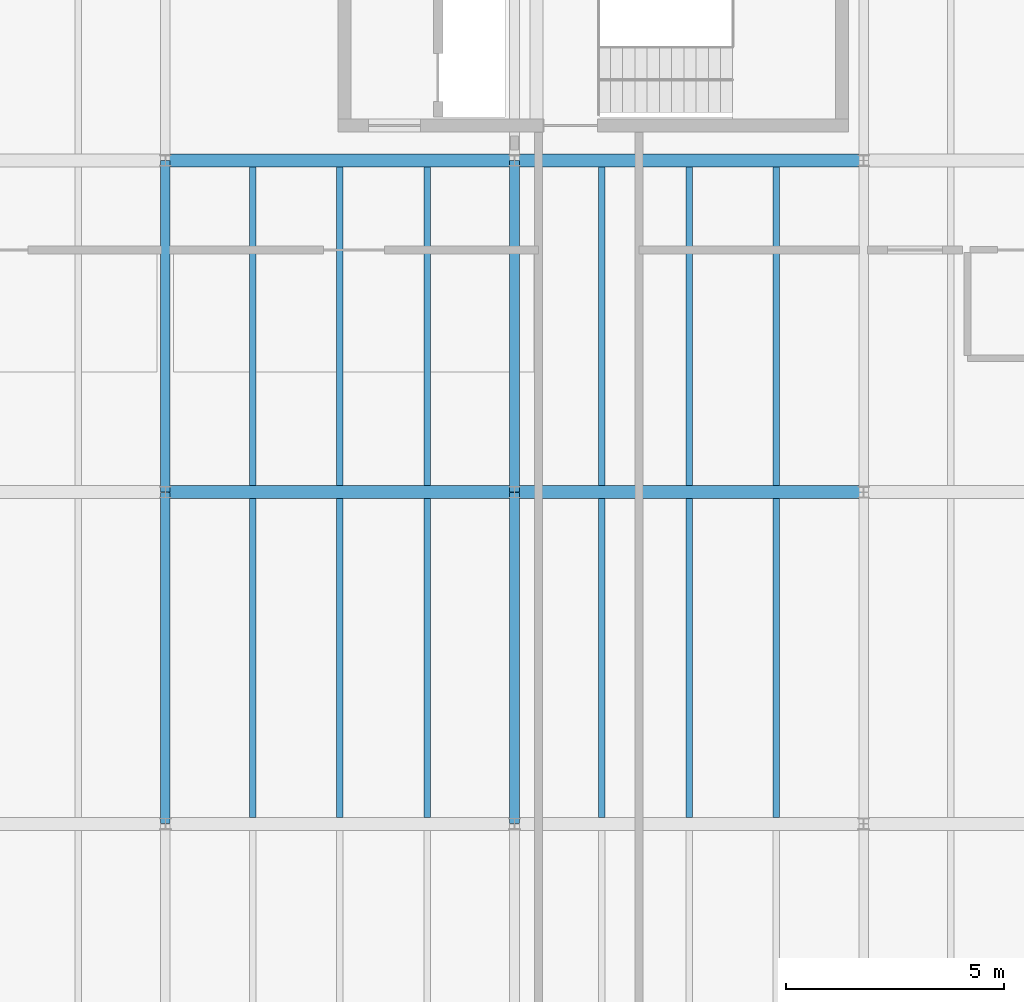
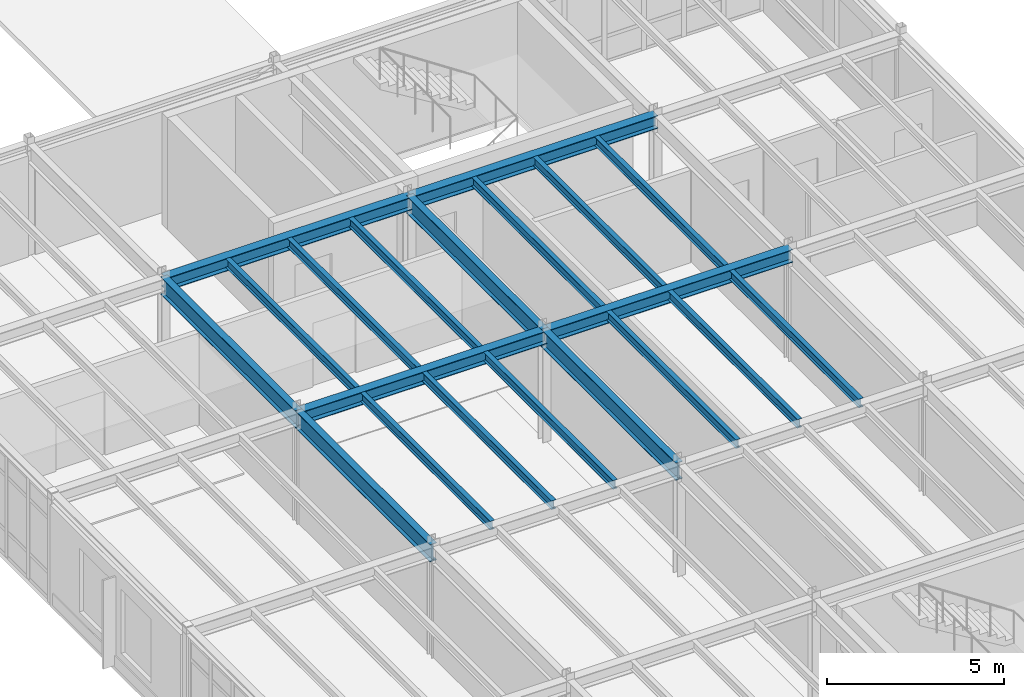
# One storey, part 59 of 114: 20 beams.
"""IFC4 building model written with IfcOpenShell, lengths in metres."""

from ifc_helpers import new_model, si_unit, direction, frame, origin, origin_2d, place, context, subcontext, project, spatial, i_section, extrude, material, material_profile, profile_set, type_object, element, save


model = new_model("IFC4")

# Units and contexts
model_context = context("Model", 3, precision=1e-05, world=origin(), true_north=direction((0.0, 1.0)))
body_context = subcontext(model_context, "Body", "Model", "MODEL_VIEW")
ifc_project = project(units=[si_unit("LENGTHUNIT", "METRE"), si_unit("AREAUNIT", "SQUARE_METRE"), si_unit("VOLUMEUNIT", "CUBIC_METRE"), si_unit("PLANEANGLEUNIT", "RADIAN"), si_unit("MASSUNIT", "GRAM", prefix="KILO")], contexts=[model_context])

# Site, building, storey
site_placement = place(None, origin())
site = spatial("IfcSite", under=ifc_project, at=site_placement, CompositionType="ELEMENT")
building_placement = place(site_placement, origin())
building = spatial("IfcBuilding", under=site, at=building_placement, Name="Montecoro Central Library", CompositionType="ELEMENT")
storey_placement = place(building_placement, frame((0.0, 0.0, 13.260009765625)))
storey = spatial("IfcBuildingStorey", under=building, at=storey_placement, Name="L03", CompositionType="ELEMENT", Elevation=13.260009765625)

# Beams
ifc_material_1 = material(Name="Steel S355J2", Category="steel")
ifc_material_profile_1 = material_profile(ifc_material_1, i_section(OverallWidth=0.300048828125, OverallDepth=0.43994140625, WebThickness=0.011474609375, FlangeThickness=0.02099609375, at=origin_2d()), Name="HEA 450")
ifc_profile_set_1 = profile_set([ifc_material_profile_1], Name="Steel S355J2")
beam_type_1 = type_object("IfcBeamType", Name="BM-G-HEA450", PredefinedType="USERDEFINED", material=ifc_profile_set_1)
for number, where, z_axis, x_axis, name in (
    (1, (149.0048828125, 27.800048828125, 3.60498046875), (1.0, 0.0, 0.0), (0.0, 1.0, 0.0), "V6-L03-BX-1920-D"),
    (2, (157.0048828125, 27.800048828125, 3.60498046875), (1.0, 0.0, 0.0), (0.0, 1.0, 0.0), "V6-L03-BX-2021-D"),
    (3, (149.0048828125, 35.39990234375, 3.60498046875), (1.0, 0.0, 0.0), (0.0, 1.0, 0.0), "V6-L03-BX-1920-E"),
    (4, (157.0048828125, 35.39990234375, 3.60498046875), (1.0, 0.0, 0.0), (0.0, 1.0, 0.0), "V6-L03-BX-2021-E"),
):
    element("IfcBeam", number, at=place(storey_placement, frame(where, z_axis=z_axis, x_axis=x_axis)), inside=storey, type_object=beam_type_1, Name=name, ObjectType="GIRDER", PredefinedType="USERDEFINED", context=body_context, shape_type="SweptSolid", body=[
        extrude(i_section(OverallWidth=0.300048828125, OverallDepth=0.43994140625, WebThickness=0.011474609375, FlangeThickness=0.02099609375, at=origin_2d()), origin(), (0.0, 0.0, 1.0), 7.990234375),
    ])
ifc_material_profile_2 = material_profile(ifc_material_1, i_section(OverallWidth=0.219970703125, OverallDepth=0.60009765625, WebThickness=0.011962890625, FlangeThickness=0.01904296875, at=origin_2d()), Name="IPE 600")
ifc_profile_set_2 = profile_set([ifc_material_profile_2], Name="Steel S355J2")
beam_type_2 = type_object("IfcBeamType", Name="BM-G-IPE600", PredefinedType="USERDEFINED", material=ifc_profile_set_2)
beam_1_placement = place(storey_placement, frame((149.0, 20.205078125, 3.52490234375), z_axis=(0.0, 1.0, 0.0), x_axis=(-1.0, 0.0, 0.0)))
element("IfcBeam", 5, at=beam_1_placement, inside=storey, type_object=beam_type_2, Name="V6-L03-BY-19-CD", ObjectType="GIRDER", PredefinedType="USERDEFINED", context=body_context, shape_type="SweptSolid", body=[
    extrude(i_section(OverallWidth=0.219970703125, OverallDepth=0.60009765625, WebThickness=0.011962890625, FlangeThickness=0.01904296875, at=origin_2d()), origin(), (0.0, 0.0, 1.0), 7.58984375),
])
beam_2_placement = place(storey_placement, frame((149.0, 27.804931640625, 3.52490234375), z_axis=(0.0, 1.0, 0.0), x_axis=(-1.0, 0.0, 0.0)))
element("IfcBeam", 6, at=beam_2_placement, inside=storey, type_object=beam_type_2, Name="V6-L03-BY-19-DE", ObjectType="GIRDER", PredefinedType="USERDEFINED", context=body_context, shape_type="SweptSolid", body=[
    extrude(i_section(OverallWidth=0.219970703125, OverallDepth=0.60009765625, WebThickness=0.011962890625, FlangeThickness=0.01904296875, at=origin_2d()), origin(), (0.0, 0.0, 1.0), 7.590087890625),
])
beam_3_placement = place(storey_placement, frame((157.0, 20.205078125, 3.52490234375), z_axis=(0.0, 1.0, 0.0), x_axis=(-1.0, 0.0, 0.0)))
element("IfcBeam", 7, at=beam_3_placement, inside=storey, type_object=beam_type_2, Name="V6-L03-BY-20-CD", ObjectType="GIRDER", PredefinedType="USERDEFINED", context=body_context, shape_type="SweptSolid", body=[
    extrude(i_section(OverallWidth=0.219970703125, OverallDepth=0.60009765625, WebThickness=0.011962890625, FlangeThickness=0.01904296875, at=origin_2d()), origin(), (0.0, 0.0, 1.0), 7.58984375),
])
beam_4_placement = place(storey_placement, frame((157.0, 27.804931640625, 3.52490234375), z_axis=(0.0, 1.0, 0.0), x_axis=(-1.0, 0.0, 0.0)))
element("IfcBeam", 8, at=beam_4_placement, inside=storey, type_object=beam_type_2, Name="V6-L03-BY-20-DE", ObjectType="GIRDER", PredefinedType="USERDEFINED", context=body_context, shape_type="SweptSolid", body=[
    extrude(i_section(OverallWidth=0.219970703125, OverallDepth=0.60009765625, WebThickness=0.011962890625, FlangeThickness=0.01904296875, at=origin_2d()), origin(), (0.0, 0.0, 1.0), 7.590087890625),
])
ifc_material_2 = material(Name="Steel S355", Category="steel")
ifc_material_profile_3 = material_profile(ifc_material_2, i_section(OverallWidth=0.14990234375, OverallDepth=0.300048828125, WebThickness=0.007080078125, FlangeThickness=0.0107421875, at=origin_2d()), Name="IPE 300")
ifc_profile_set_3 = profile_set([ifc_material_profile_3], Name="Steel S355")
beam_type_3 = type_object("IfcBeamType", Name="BM-J-IPE300", PredefinedType="JOIST", material=ifc_profile_set_3)
for number, where, z_axis, x_axis, name in (
    (9, (151.0, 20.346923828125, 3.675048828125), (0.0, 1.0, 0.0), (-1.0, 0.0, 0.0), "V6-L03-JS-1920-CD-1"),
    (10, (153.0, 20.346923828125, 3.675048828125), (0.0, 1.0, 0.0), (-1.0, 0.0, 0.0), "V6-L03-JS-1920-CD-2"),
    (11, (155.0, 20.346923828125, 3.675048828125), (0.0, 1.0, 0.0), (-1.0, 0.0, 0.0), "V6-L03-JS-1920-CD-3"),
):
    element("IfcBeam", number, at=place(storey_placement, frame(where, z_axis=z_axis, x_axis=x_axis)), inside=storey, type_object=beam_type_3, Name=name, PredefinedType="JOIST", context=body_context, shape_type="SweptSolid", body=[
        extrude(i_section(OverallWidth=0.14990234375, OverallDepth=0.300048828125, WebThickness=0.007080078125, FlangeThickness=0.0107421875, at=origin_2d()), origin(), (0.0, 0.0, 1.0), 7.30615234375),
    ])
for number, where, z_axis, x_axis, name in (
    (12, (151.0, 27.947021484375, 3.675048828125), (0.0, 1.0, 0.0), (-1.0, 0.0, 0.0), "V6-L03-JS-1920-DE-1"),
    (13, (153.0, 27.947021484375, 3.675048828125), (0.0, 1.0, 0.0), (-1.0, 0.0, 0.0), "V6-L03-JS-1920-DE-2"),
    (14, (155.0, 27.947021484375, 3.675048828125), (0.0, 1.0, 0.0), (-1.0, 0.0, 0.0), "V6-L03-JS-1920-DE-3"),
):
    element("IfcBeam", number, at=place(storey_placement, frame(where, z_axis=z_axis, x_axis=x_axis)), inside=storey, type_object=beam_type_3, Name=name, PredefinedType="JOIST", context=body_context, shape_type="SweptSolid", body=[
        extrude(i_section(OverallWidth=0.14990234375, OverallDepth=0.300048828125, WebThickness=0.007080078125, FlangeThickness=0.0107421875, at=origin_2d()), origin(), (0.0, 0.0, 1.0), 7.305908203125),
    ])
for number, where, z_axis, x_axis, name in (
    (15, (159.0, 20.346923828125, 3.675048828125), (0.0, 1.0, 0.0), (-1.0, 0.0, 0.0), "V6-L03-JS-2021-CD-1"),
    (16, (161.0, 20.346923828125, 3.675048828125), (0.0, 1.0, 0.0), (-1.0, 0.0, 0.0), "V6-L03-JS-2021-CD-2"),
    (17, (163.0, 20.346923828125, 3.675048828125), (0.0, 1.0, 0.0), (-1.0, 0.0, 0.0), "V6-L03-JS-2021-CD-3"),
):
    element("IfcBeam", number, at=place(storey_placement, frame(where, z_axis=z_axis, x_axis=x_axis)), inside=storey, type_object=beam_type_3, Name=name, PredefinedType="JOIST", context=body_context, shape_type="SweptSolid", body=[
        extrude(i_section(OverallWidth=0.14990234375, OverallDepth=0.300048828125, WebThickness=0.007080078125, FlangeThickness=0.0107421875, at=origin_2d()), origin(), (0.0, 0.0, 1.0), 7.30615234375),
    ])
for number, where, z_axis, x_axis, name in (
    (18, (159.0, 27.947021484375, 3.675048828125), (0.0, 1.0, 0.0), (-1.0, 0.0, 0.0), "V6-L03-JS-2021-DE-1"),
    (19, (161.0, 27.947021484375, 3.675048828125), (0.0, 1.0, 0.0), (-1.0, 0.0, 0.0), "V6-L03-JS-2021-DE-2"),
    (20, (163.0, 27.947021484375, 3.675048828125), (0.0, 1.0, 0.0), (-1.0, 0.0, 0.0), "V6-L03-JS-2021-DE-3"),
):
    element("IfcBeam", number, at=place(storey_placement, frame(where, z_axis=z_axis, x_axis=x_axis)), inside=storey, type_object=beam_type_3, Name=name, PredefinedType="JOIST", context=body_context, shape_type="SweptSolid", body=[
        extrude(i_section(OverallWidth=0.14990234375, OverallDepth=0.300048828125, WebThickness=0.007080078125, FlangeThickness=0.0107421875, at=origin_2d()), origin(), (0.0, 0.0, 1.0), 7.305908203125),
    ])

save(model, "model.ifc")
